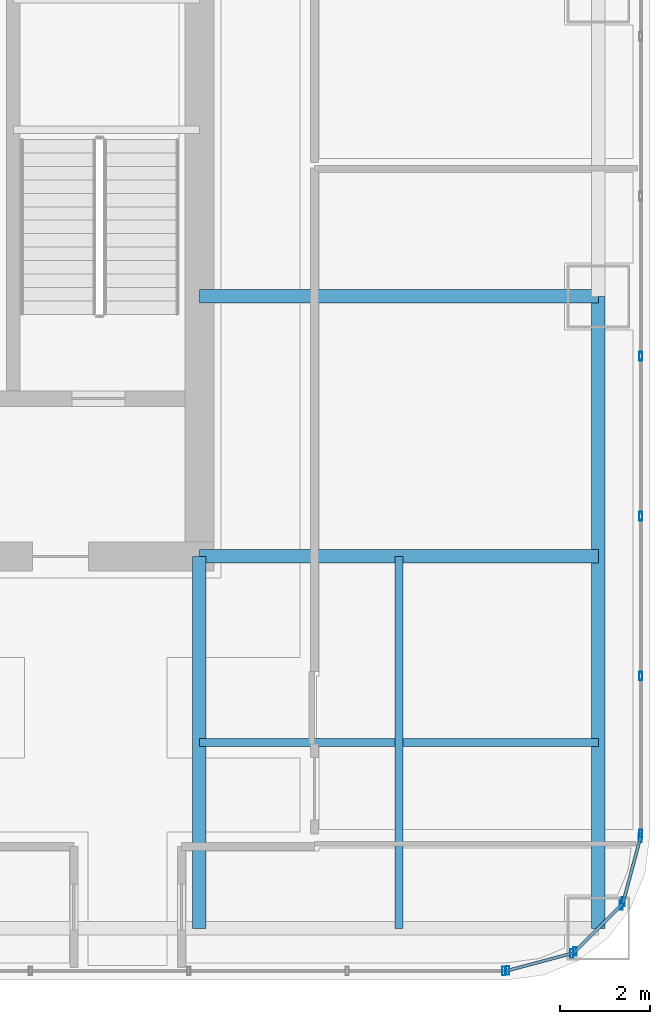
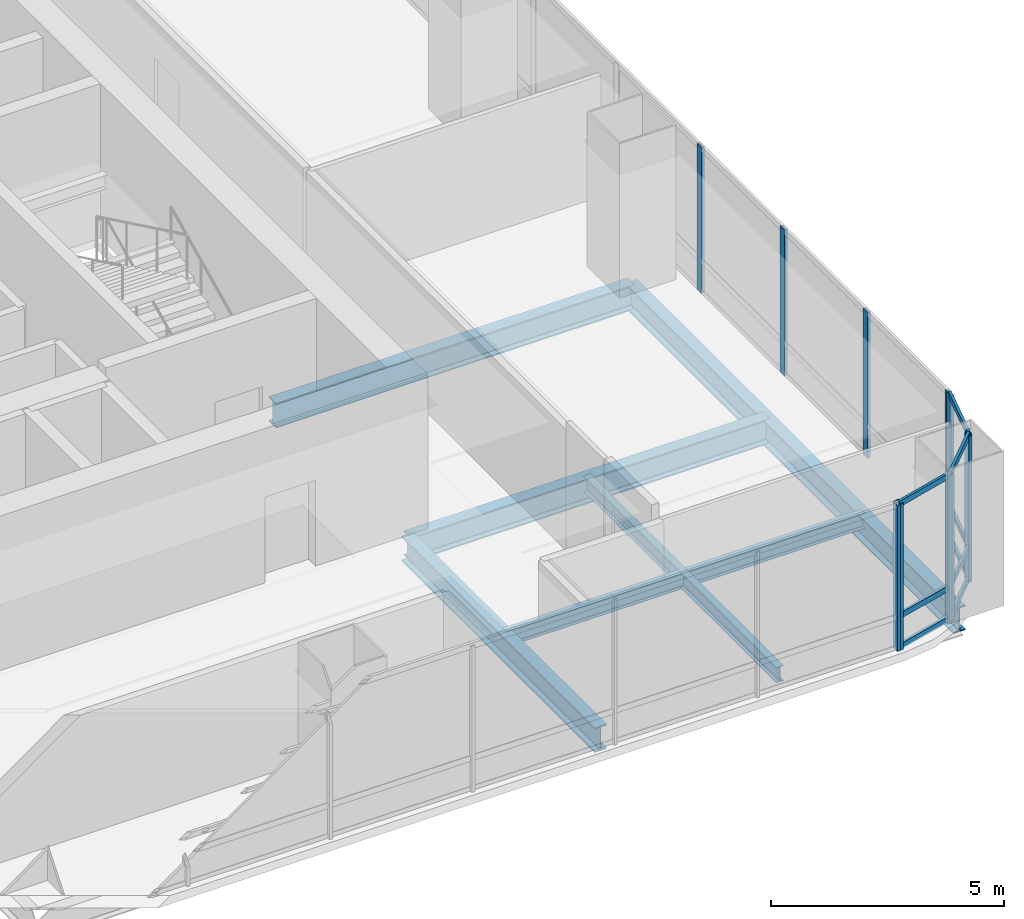
# One storey, part 15 of 38: 20 members, 6 beams, 5 elements without a shape of their own.
"""IFC4 building model written with IfcOpenShell, lengths in metres."""

from ifc_helpers import new_model, si_unit, direction, frame, origin, origin_2d, place, context, subcontext, project, spatial, hollow_rectangle, i_section, extrude, material, material_profile, profile_set, type_object, element, aggregate, save


model = new_model("IFC4")

# Units and contexts
model_context = context("Model", 3, precision=1e-05, world=origin(), true_north=direction((0.0, 1.0)))
body_context = subcontext(model_context, "Body", "Model", "MODEL_VIEW")
ifc_project = project(units=[si_unit("LENGTHUNIT", "METRE"), si_unit("AREAUNIT", "SQUARE_METRE"), si_unit("VOLUMEUNIT", "CUBIC_METRE"), si_unit("PLANEANGLEUNIT", "RADIAN"), si_unit("MASSUNIT", "GRAM", prefix="KILO")], contexts=[model_context])

# Site, building, storey
site_placement = place(None, origin())
site = spatial("IfcSite", under=ifc_project, at=site_placement, CompositionType="ELEMENT")
building_placement = place(site_placement, origin())
building = spatial("IfcBuilding", under=site, at=building_placement, Name="Punatoya Terracotta Tower", CompositionType="ELEMENT")
storey_placement = place(building_placement, frame((0.0, 0.0, 160.050048828125)))
storey = spatial("IfcBuildingStorey", under=building, at=storey_placement, Name="L37", CompositionType="ELEMENT", Elevation=160.050048828125)

# Beams
ifc_material_1 = material(Name="Steel S355", Category="steel")
ifc_material_profile_1 = material_profile(ifc_material_1, i_section(OverallWidth=0.300048828125, OverallDepth=0.64990234375, WebThickness=0.01611328125, FlangeThickness=0.031005859375, FilletRadius=0.01806640625, at=origin_2d()))
ifc_profile_set_1 = profile_set([ifc_material_profile_1], Name="Steel S355")
beam_type_1 = type_object("IfcBeamType", Name="BM-PRI-650", PredefinedType="BEAM", material=ifc_profile_set_1)
beam_1_placement = place(storey_placement, frame((19.10009765625, -17.5, -0.545166015625), z_axis=(0.0, 1.0, 0.0), x_axis=(-1.0, 0.0, 0.0)))
element("IfcBeam", 1, at=beam_1_placement, inside=storey, type_object=beam_type_1, Name="BM-L37-RG-E1", PredefinedType="BEAM", context=body_context, shape_type="SweptSolid", body=[
    extrude(i_section(OverallWidth=0.300048828125, OverallDepth=0.64990234375, WebThickness=0.01611328125, FlangeThickness=0.031005859375, FilletRadius=0.01806640625, at=origin_2d()), origin(), (0.0, 0.0, 1.0), 14.10009765625),
])
for number, where, z_axis, x_axis, name in (
    (2, (10.199951171875, -9.199951171875, -0.545166015625), (1.0, 0.0, 0.0), (0.0, 1.0, 0.0), "BM-L37-PR-ES"),
    (3, (10.199951171875, -3.39990234375, -0.545166015625), (1.0, 0.0, 0.0), (0.0, 1.0, 0.0), "BM-L37-PR-ED"),
):
    element("IfcBeam", number, at=place(storey_placement, frame(where, z_axis=z_axis, x_axis=x_axis)), inside=storey, type_object=beam_type_1, Name=name, PredefinedType="BEAM", context=body_context, shape_type="SweptSolid", body=[
        extrude(i_section(OverallWidth=0.300048828125, OverallDepth=0.64990234375, WebThickness=0.01611328125, FlangeThickness=0.031005859375, FilletRadius=0.01806640625, at=origin_2d()), origin(), (0.0, 0.0, 1.0), 8.900146484375),
    ])
beam_2_placement = place(storey_placement, frame((10.199951171875, -17.5, -0.545166015625), z_axis=(0.0, 1.0, 0.0), x_axis=(-1.0, 0.0, 0.0)))
element("IfcBeam", 4, at=beam_2_placement, inside=storey, type_object=beam_type_1, Name="BM-L37-PR-S4", PredefinedType="BEAM", context=body_context, shape_type="SweptSolid", body=[
    extrude(i_section(OverallWidth=0.300048828125, OverallDepth=0.64990234375, WebThickness=0.01611328125, FlangeThickness=0.031005859375, FilletRadius=0.01806640625, at=origin_2d()), origin(), (0.0, 0.0, 1.0), 8.300048828125),
])
ifc_material_profile_2 = material_profile(ifc_material_1, i_section(OverallWidth=0.179931640625, OverallDepth=0.39990234375, WebThickness=0.008544921875, FlangeThickness=0.013427734375, FilletRadius=0.01806640625, at=origin_2d()))
ifc_profile_set_2 = profile_set([ifc_material_profile_2], Name="Steel S355")
beam_type_2 = type_object("IfcBeamType", Name="BM-SEC-400", PredefinedType="JOIST", material=ifc_profile_set_2)
beam_3_placement = place(storey_placement, frame((10.199951171875, -13.35009765625, -0.420166015625), z_axis=(1.0, 0.0, 0.0), x_axis=(0.0, 1.0, 0.0)))
element("IfcBeam", 5, at=beam_3_placement, inside=storey, type_object=beam_type_2, Name="BM-L37-SJS-2", PredefinedType="JOIST", context=body_context, shape_type="SweptSolid", body=[
    extrude(i_section(OverallWidth=0.179931640625, OverallDepth=0.39990234375, WebThickness=0.008544921875, FlangeThickness=0.013427734375, FilletRadius=0.01806640625, at=origin_2d()), origin(), (0.0, 0.0, 1.0), 8.900146484375),
])
beam_4_placement = place(storey_placement, frame((14.64990234375, -17.5, -0.420166015625), z_axis=(0.0, 1.0, 0.0), x_axis=(-1.0, 0.0, 0.0)))
element("IfcBeam", 6, at=beam_4_placement, inside=storey, type_object=beam_type_2, Name="BM-L37-SJE-1", PredefinedType="JOIST", context=body_context, shape_type="SweptSolid", body=[
    extrude(i_section(OverallWidth=0.179931640625, OverallDepth=0.39990234375, WebThickness=0.008544921875, FlangeThickness=0.013427734375, FilletRadius=0.01806640625, at=origin_2d()), origin(), (0.0, 0.0, 1.0), 8.300048828125),
])

# Curtain wall, member
ifc_material_2 = material(Name="Aluminium 6063-T6 + Double Low-E Glass", Category="aluminium")
curtain_wall_type = type_object("IfcCurtainWallType", Name="CW-M2", PredefinedType="NOTDEFINED", material=ifc_material_2)
curtain_wall_1_placement = place(storey_placement, origin())
curtain_wall_1 = element("IfcCurtainWall", 7, at=curtain_wall_1_placement, inside=storey, type_object=curtain_wall_type, Name="L37 Curtain Wall CW-L37-S01-1", PredefinedType="NOTDEFINED")
ifc_material_3 = material(Name="Aluminium 6063-T6", Category="aluminium")
ifc_material_profile_3 = material_profile(ifc_material_3, hollow_rectangle(XDim=0.072021484375, YDim=0.195068359375, WallThickness=0.00439453125, at=origin_2d()))
ifc_profile_set_3 = profile_set([ifc_material_profile_3], Name="Aluminium 6063-T6")
member_type_1 = type_object("IfcMemberType", Name="CW-MUL-M2", PredefinedType="MULLION", material=ifc_profile_set_3)
member_1_placement = place(storey_placement, frame((16.991943359375, -18.449951171875, 0.0), z_axis=(0.0, 0.0, 1.0), x_axis=(1.0, 0.0, 0.0)))
member_1 = element("IfcMember", 8, at=member_1_placement, type_object=member_type_1, Name="CW-L37-S01-1 Mullion 11", PredefinedType="MULLION", context=body_context, shape_type="SweptSolid", body=[
    extrude(hollow_rectangle(XDim=0.072021484375, YDim=0.195068359375, WallThickness=0.00439453125, at=origin_2d()), origin(), (0.0, 0.0, 1.0), 3.829833984375),
])
aggregate(curtain_wall_1, [member_1])

# Curtain wall, members
curtain_wall_2_placement = place(storey_placement, origin())
curtain_wall_2 = element("IfcCurtainWall", 9, at=curtain_wall_2_placement, inside=storey, type_object=curtain_wall_type, Name="L37 Curtain Wall CW-L37-CRN02", PredefinedType="NOTDEFINED")
member_2_placement = place(storey_placement, frame((17.080322265625, -18.4384765625, 0.0), z_axis=(0.0, 0.0, 1.0), x_axis=(1.0, 0.0, 0.0)))
member_2 = element("IfcMember", 10, at=member_2_placement, type_object=member_type_1, Name="CW-L37-CRN02 Mullion 00", PredefinedType="MULLION", context=body_context, shape_type="SweptSolid", body=[
    extrude(hollow_rectangle(XDim=0.072021484375, YDim=0.195068359375, WallThickness=0.00439453125, at=origin_2d()), origin(), (0.0, 0.0, 1.0), 3.829833984375),
])
member_3_placement = place(storey_placement, frame((18.505615234375, -18.05810546875, 0.0), z_axis=(0.0, 0.0, 1.0), x_axis=(1.0, 0.0, 0.0)))
member_3 = element("IfcMember", 11, at=member_3_placement, type_object=member_type_1, Name="CW-L37-CRN02 Mullion 01", PredefinedType="MULLION", context=body_context, shape_type="SweptSolid", body=[
    extrude(hollow_rectangle(XDim=0.072021484375, YDim=0.195068359375, WallThickness=0.00439453125, at=origin_2d()), origin(), (0.0, 0.0, 1.0), 3.829833984375),
])

curtain_wall_3_placement = place(storey_placement, origin())
curtain_wall_3 = element("IfcCurtainWall", 12, at=curtain_wall_3_placement, inside=storey, type_object=curtain_wall_type, Name="L37 Curtain Wall CW-L37-CRN03", PredefinedType="NOTDEFINED")
member_4_placement = place(storey_placement, frame((18.580810546875, -18.014892578125, 0.0), z_axis=(0.0, 0.0, 1.0), x_axis=(1.0, 0.0, 0.0)))
member_4 = element("IfcMember", 13, at=member_4_placement, type_object=member_type_1, Name="CW-L37-CRN03 Mullion 00", PredefinedType="MULLION", context=body_context, shape_type="SweptSolid", body=[
    extrude(hollow_rectangle(XDim=0.072021484375, YDim=0.195068359375, WallThickness=0.00439453125, at=origin_2d()), origin(), (0.0, 0.0, 1.0), 3.829833984375),
])
member_5_placement = place(storey_placement, frame((19.61474609375, -16.98095703125, 0.0), z_axis=(0.0, 0.0, 1.0), x_axis=(1.0, 0.0, 0.0)))
member_5 = element("IfcMember", 14, at=member_5_placement, type_object=member_type_1, Name="CW-L37-CRN03 Mullion 01", PredefinedType="MULLION", context=body_context, shape_type="SweptSolid", body=[
    extrude(hollow_rectangle(XDim=0.072021484375, YDim=0.195068359375, WallThickness=0.00439453125, at=origin_2d()), origin(), (0.0, 0.0, 1.0), 3.829833984375),
])

curtain_wall_4_placement = place(storey_placement, origin())
curtain_wall_4 = element("IfcCurtainWall", 15, at=curtain_wall_4_placement, inside=storey, type_object=curtain_wall_type, Name="L37 Curtain Wall CW-L37-CRN04", PredefinedType="NOTDEFINED")
member_6_placement = place(storey_placement, frame((19.658203125, -16.905517578125, 0.0), z_axis=(0.0, 0.0, 1.0), x_axis=(1.0, 0.0, 0.0)))
member_6 = element("IfcMember", 16, at=member_6_placement, type_object=member_type_1, Name="CW-L37-CRN04 Mullion 00", PredefinedType="MULLION", context=body_context, shape_type="SweptSolid", body=[
    extrude(hollow_rectangle(XDim=0.072021484375, YDim=0.195068359375, WallThickness=0.00439453125, at=origin_2d()), origin(), (0.0, 0.0, 1.0), 3.829833984375),
])
member_7_placement = place(storey_placement, frame((20.038330078125, -15.48046875, 0.0), z_axis=(0.0, 0.0, 1.0), x_axis=(1.0, 0.0, 0.0)))
member_7 = element("IfcMember", 17, at=member_7_placement, type_object=member_type_1, Name="CW-L37-CRN04 Mullion 01", PredefinedType="MULLION", context=body_context, shape_type="SweptSolid", body=[
    extrude(hollow_rectangle(XDim=0.072021484375, YDim=0.195068359375, WallThickness=0.00439453125, at=origin_2d()), origin(), (0.0, 0.0, 1.0), 3.829833984375),
])

curtain_wall_5_placement = place(storey_placement, origin())
curtain_wall_5 = element("IfcCurtainWall", 18, at=curtain_wall_5_placement, inside=storey, type_object=curtain_wall_type, Name="L37 Curtain Wall CW-L37-E05-1", PredefinedType="NOTDEFINED")
member_8_placement = place(storey_placement, frame((20.050048828125, -15.391845703125, 0.0), z_axis=(0.0, 0.0, 1.0), x_axis=(1.0, 0.0, 0.0)))
member_8 = element("IfcMember", 19, at=member_8_placement, type_object=member_type_1, Name="CW-L37-E05-1 Mullion 00", PredefinedType="MULLION", context=body_context, shape_type="SweptSolid", body=[
    extrude(hollow_rectangle(XDim=0.072021484375, YDim=0.195068359375, WallThickness=0.00439453125, at=origin_2d()), origin(), (0.0, 0.0, 1.0), 3.829833984375),
])
member_9_placement = place(storey_placement, frame((20.050048828125, -11.869384765625, 0.0), z_axis=(0.0, 0.0, 1.0), x_axis=(1.0, 0.0, 0.0)))
member_9 = element("IfcMember", 20, at=member_9_placement, type_object=member_type_1, Name="CW-L37-E05-1 Mullion 01", PredefinedType="MULLION", context=body_context, shape_type="SweptSolid", body=[
    extrude(hollow_rectangle(XDim=0.072021484375, YDim=0.195068359375, WallThickness=0.00439453125, at=origin_2d()), origin(), (0.0, 0.0, 1.0), 3.829833984375),
])
member_10_placement = place(storey_placement, frame((20.050048828125, -8.302001953125, 0.0), z_axis=(0.0, 0.0, 1.0), x_axis=(1.0, 0.0, 0.0)))
member_10 = element("IfcMember", 21, at=member_10_placement, type_object=member_type_1, Name="CW-L37-E05-1 Mullion 02", PredefinedType="MULLION", context=body_context, shape_type="SweptSolid", body=[
    extrude(hollow_rectangle(XDim=0.072021484375, YDim=0.195068359375, WallThickness=0.00439453125, at=origin_2d()), origin(), (0.0, 0.0, 1.0), 3.829833984375),
])
member_11_placement = place(storey_placement, frame((20.050048828125, -4.73486328125, 0.0), z_axis=(0.0, 0.0, 1.0), x_axis=(1.0, 0.0, 0.0)))
member_11 = element("IfcMember", 22, at=member_11_placement, type_object=member_type_1, Name="CW-L37-E05-1 Mullion 03", PredefinedType="MULLION", context=body_context, shape_type="SweptSolid", body=[
    extrude(hollow_rectangle(XDim=0.072021484375, YDim=0.195068359375, WallThickness=0.00439453125, at=origin_2d()), origin(), (0.0, 0.0, 1.0), 3.829833984375),
])
aggregate(curtain_wall_5, [member_8, member_9, member_10, member_11])

# Member
ifc_material_profile_4 = material_profile(ifc_material_3, hollow_rectangle(XDim=0.068115234375, YDim=0.14990234375, WallThickness=0.00390625, at=origin_2d()))
ifc_profile_set_4 = profile_set([ifc_material_profile_4], Name="Aluminium 6063-T6")
member_type_2 = type_object("IfcMemberType", Name="CW-TRN-TYP", PredefinedType="USERDEFINED", material=ifc_profile_set_4)
member_12_placement = place(storey_placement, frame((17.036865234375, -18.449951171875, 0.0400390625), z_axis=(0.966224582397, 0.257701486942, 0.0), x_axis=(-0.257701486942, 0.966224582397, 0.0)))
member_12 = element("IfcMember", 23, at=member_12_placement, type_object=member_type_2, Name="CW-L37-CRN02 Transom 1", ObjectType="TRANSOM", PredefinedType="USERDEFINED", context=body_context, shape_type="SweptSolid", body=[
    extrude(hollow_rectangle(XDim=0.068115234375, YDim=0.14990234375, WallThickness=0.00390625, at=origin_2d()), origin(), (0.0, 0.0, 1.0), 1.565185546875),
])

member_13_placement = place(storey_placement, frame((17.036865234375, -18.449951171875, 0.849853515625), z_axis=(0.966224582397, 0.257701486942, 0.0), x_axis=(-0.257701486942, 0.966224582397, 0.0)))
member_13 = element("IfcMember", 24, at=member_13_placement, type_object=member_type_2, Name="CW-L37-CRN02 Transom 2", ObjectType="TRANSOM", PredefinedType="USERDEFINED", context=body_context, shape_type="SweptSolid", body=[
    extrude(hollow_rectangle(XDim=0.068115234375, YDim=0.14990234375, WallThickness=0.00390625, at=origin_2d()), origin(), (0.0, 0.0, 1.0), 1.565185546875),
])

member_14_placement = place(storey_placement, frame((17.036865234375, -18.449951171875, 3.7900390625), z_axis=(0.966224582397, 0.257701486942, 0.0), x_axis=(-0.257701486942, 0.966224582397, 0.0)))
member_14 = element("IfcMember", 25, at=member_14_placement, type_object=member_type_2, Name="CW-L37-CRN02 Transom 3", ObjectType="TRANSOM", PredefinedType="USERDEFINED", context=body_context, shape_type="SweptSolid", body=[
    extrude(hollow_rectangle(XDim=0.068115234375, YDim=0.14990234375, WallThickness=0.00390625, at=origin_2d()), origin(), (0.0, 0.0, 1.0), 1.565185546875),
])

aggregate(curtain_wall_2, [member_2, member_3, member_12, member_13, member_14])

member_15_placement = place(storey_placement, frame((18.549072265625, -18.046630859375, 0.0400390625), z_axis=(0.707106781187, 0.707106781187, 0.0), x_axis=(-0.707106781187, 0.707106781187, 0.0)))
member_15 = element("IfcMember", 26, at=member_15_placement, type_object=member_type_2, Name="CW-L37-CRN03 Transom 1", ObjectType="TRANSOM", PredefinedType="USERDEFINED", context=body_context, shape_type="SweptSolid", body=[
    extrude(hollow_rectangle(XDim=0.068115234375, YDim=0.14990234375, WallThickness=0.00390625, at=origin_2d()), origin(), (0.0, 0.0, 1.0), 1.552001953125),
])

member_16_placement = place(storey_placement, frame((18.549072265625, -18.046630859375, 0.849853515625), z_axis=(0.707106781187, 0.707106781187, 0.0), x_axis=(-0.707106781187, 0.707106781187, 0.0)))
member_16 = element("IfcMember", 27, at=member_16_placement, type_object=member_type_2, Name="CW-L37-CRN03 Transom 2", ObjectType="TRANSOM", PredefinedType="USERDEFINED", context=body_context, shape_type="SweptSolid", body=[
    extrude(hollow_rectangle(XDim=0.068115234375, YDim=0.14990234375, WallThickness=0.00390625, at=origin_2d()), origin(), (0.0, 0.0, 1.0), 1.552001953125),
])

member_17_placement = place(storey_placement, frame((18.549072265625, -18.046630859375, 3.7900390625), z_axis=(0.707106781187, 0.707106781187, 0.0), x_axis=(-0.707106781187, 0.707106781187, 0.0)))
member_17 = element("IfcMember", 28, at=member_17_placement, type_object=member_type_2, Name="CW-L37-CRN03 Transom 3", ObjectType="TRANSOM", PredefinedType="USERDEFINED", context=body_context, shape_type="SweptSolid", body=[
    extrude(hollow_rectangle(XDim=0.068115234375, YDim=0.14990234375, WallThickness=0.00390625, at=origin_2d()), origin(), (0.0, 0.0, 1.0), 1.552001953125),
])

aggregate(curtain_wall_3, [member_4, member_5, member_15, member_16, member_17])

member_18_placement = place(storey_placement, frame((19.646484375, -16.94921875, 0.0400390625), z_axis=(0.257847112249, 0.966185730957, 0.0), x_axis=(-0.966185730957, 0.257847112249, 0.0)))
member_18 = element("IfcMember", 29, at=member_18_placement, type_object=member_type_2, Name="CW-L37-CRN04 Transom 1", ObjectType="TRANSOM", PredefinedType="USERDEFINED", context=body_context, shape_type="SweptSolid", body=[
    extrude(hollow_rectangle(XDim=0.068115234375, YDim=0.14990234375, WallThickness=0.00390625, at=origin_2d()), origin(), (0.0, 0.0, 1.0), 1.565185546875),
])

member_19_placement = place(storey_placement, frame((19.646484375, -16.94921875, 0.849853515625), z_axis=(0.257847112249, 0.966185730957, 0.0), x_axis=(-0.966185730957, 0.257847112249, 0.0)))
member_19 = element("IfcMember", 30, at=member_19_placement, type_object=member_type_2, Name="CW-L37-CRN04 Transom 2", ObjectType="TRANSOM", PredefinedType="USERDEFINED", context=body_context, shape_type="SweptSolid", body=[
    extrude(hollow_rectangle(XDim=0.068115234375, YDim=0.14990234375, WallThickness=0.00390625, at=origin_2d()), origin(), (0.0, 0.0, 1.0), 1.565185546875),
])

member_20_placement = place(storey_placement, frame((19.646484375, -16.94921875, 3.7900390625), z_axis=(0.257847112249, 0.966185730957, 0.0), x_axis=(-0.966185730957, 0.257847112249, 0.0)))
member_20 = element("IfcMember", 31, at=member_20_placement, type_object=member_type_2, Name="CW-L37-CRN04 Transom 3", ObjectType="TRANSOM", PredefinedType="USERDEFINED", context=body_context, shape_type="SweptSolid", body=[
    extrude(hollow_rectangle(XDim=0.068115234375, YDim=0.14990234375, WallThickness=0.00390625, at=origin_2d()), origin(), (0.0, 0.0, 1.0), 1.565185546875),
])

aggregate(curtain_wall_4, [member_6, member_7, member_18, member_19, member_20])

save(model, "model.ifc")
